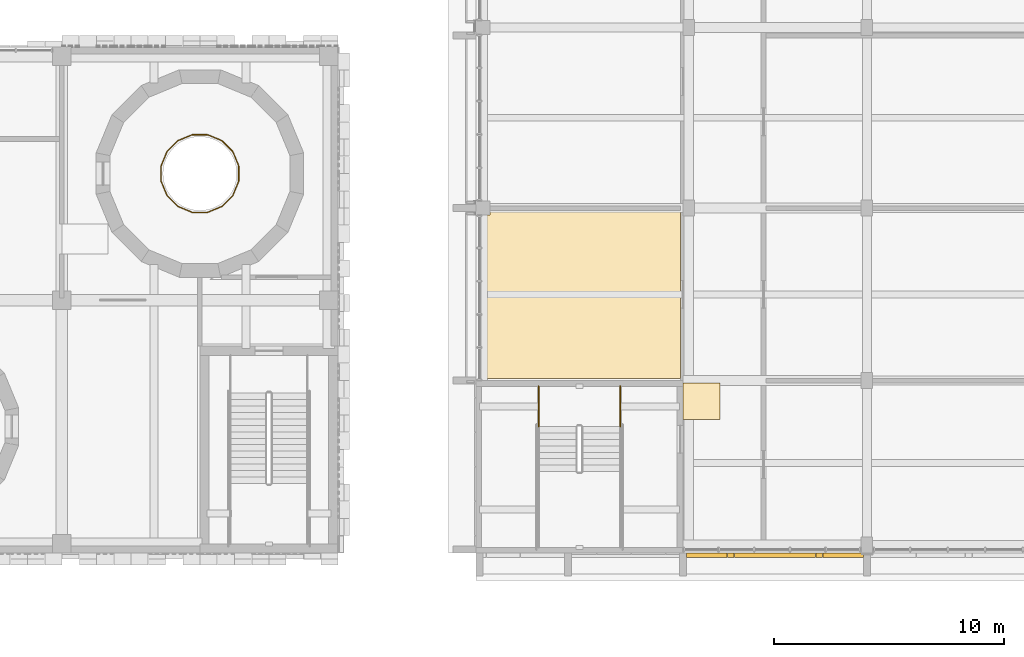
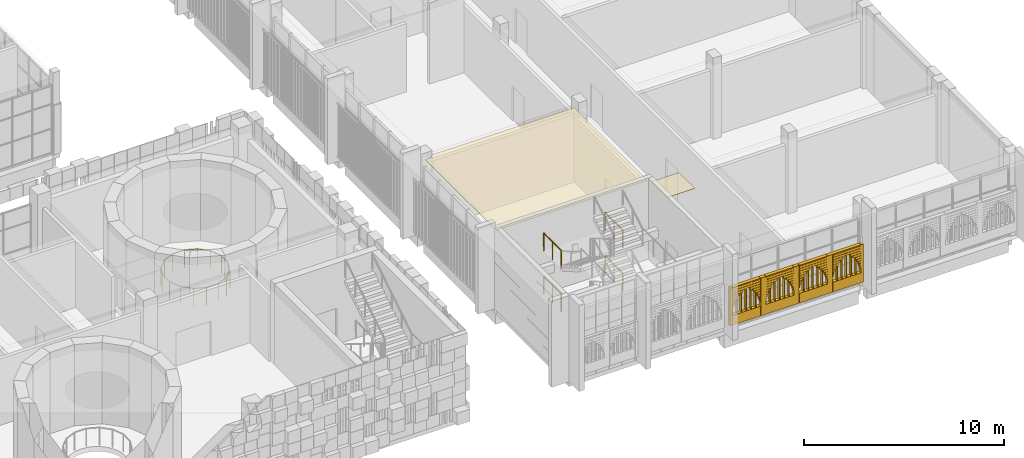
# One storey, part 110 of 125: 5 railings, 3 coverings.
"""IFC4 building model written with IfcOpenShell, lengths in metres."""

from ifc_helpers import new_model, si_unit, direction, frame, origin, origin_2d, place, context, subcontext, project, spatial, polyline, rectangle, circle, outline, extrude, material, layer, layer_set, type_object, element, save


model = new_model("IFC4")

# Units and contexts
model_context = context("Model", 3, precision=1e-05, world=origin(), true_north=direction((0.0, 1.0)))
body_context = subcontext(model_context, "Body", "Model", "MODEL_VIEW")
ifc_project = project(units=[si_unit("LENGTHUNIT", "METRE"), si_unit("AREAUNIT", "SQUARE_METRE"), si_unit("VOLUMEUNIT", "CUBIC_METRE"), si_unit("PLANEANGLEUNIT", "RADIAN"), si_unit("MASSUNIT", "GRAM", prefix="KILO")], contexts=[model_context])

# Site, building, storey
site_placement = place(None, origin())
site = spatial("IfcSite", under=ifc_project, at=site_placement, CompositionType="ELEMENT")
building_placement = place(site_placement, origin())
building = spatial("IfcBuilding", under=site, at=building_placement, Name="Sun Court Science Centre", CompositionType="ELEMENT")
storey_placement = place(building_placement, frame((0.0, 0.0, 6.0)))
storey = spatial("IfcBuildingStorey", under=building, at=storey_placement, Name="L01", CompositionType="ELEMENT", Elevation=6.0)

# Coverings
ifc_material_1 = material(Name="Red sandstone", Category="masonry")
ifc_layer_1 = layer(ifc_material_1, 0.199951171875)
ifc_layer_set_1 = layer_set([ifc_layer_1], Name="Red sandstone")
covering_type_1 = type_object("IfcCoveringType", Name="Arched jali screen 200", PredefinedType="CLADDING", material=ifc_layer_set_1)
covering_1_placement = place(storey_placement, frame((0.0, 0.0, -6.0)))
element("IfcCovering", 1, at=covering_1_placement, inside=storey, type_object=covering_type_1, Name="Arched jali screen south L01 03", PredefinedType="CLADDING", context=body_context, shape_type="SweptSolid", body=[
    extrude(rectangle(XDim=0.139892578125, YDim=0.199951171875, at=origin_2d()), frame((87.22509765625, 5.89990234375, 6.304931640625), z_axis=(0.0, 0.0, 1.0), x_axis=(1.0, 0.0, 0.0)), (0.0, 0.0, 1.0), 2.29736328125),
    extrude(rectangle(XDim=0.2900390625, YDim=0.199951171875, at=origin_2d()), frame((89.074951171875, 5.89990234375, 6.304931640625), z_axis=(0.0, 0.0, 1.0), x_axis=(1.0, 0.0, 0.0)), (0.0, 0.0, 1.0), 2.29736328125),
    extrude(rectangle(XDim=0.2900390625, YDim=0.199951171875, at=origin_2d()), frame((91.0, 5.89990234375, 6.304931640625), z_axis=(0.0, 0.0, 1.0), x_axis=(1.0, 0.0, 0.0)), (0.0, 0.0, 1.0), 2.29736328125),
    extrude(rectangle(XDim=0.2900390625, YDim=0.199951171875, at=origin_2d()), frame((92.925048828125, 5.89990234375, 6.304931640625), z_axis=(0.0, 0.0, 1.0), x_axis=(1.0, 0.0, 0.0)), (0.0, 0.0, 1.0), 2.29736328125),
    extrude(rectangle(XDim=0.139892578125, YDim=0.199951171875, at=origin_2d()), frame((94.77490234375, 5.89990234375, 6.304931640625), z_axis=(0.0, 0.0, 1.0), x_axis=(1.0, 0.0, 0.0)), (0.0, 0.0, 1.0), 2.29736328125),
    extrude(rectangle(XDim=1.614990234375, YDim=0.199951171875, at=origin_2d()), frame((88.112548828125, 5.89990234375, 6.30517578125), z_axis=(0.0, 0.0, 1.0), x_axis=(1.0, 0.0, 0.0)), (0.0, 0.0, 1.0), 0.590087890625),
    extrude(rectangle(XDim=0.033935546875, YDim=0.199951171875, at=origin_2d()), frame((87.322021484375, 5.89990234375, 7.205078125), z_axis=(0.0, 0.0, 1.0), x_axis=(1.0, 0.0, 0.0)), (0.0, 0.0, 1.0), 0.139892578125),
    extrude(rectangle(XDim=0.033935546875, YDim=0.199951171875, at=origin_2d()), frame((88.903076171875, 5.89990234375, 7.205078125), z_axis=(0.0, 0.0, 1.0), x_axis=(1.0, 0.0, 0.0)), (0.0, 0.0, 1.0), 0.139892578125),
    extrude(rectangle(XDim=0.0771484375, YDim=0.199951171875, at=origin_2d()), frame((87.343505859375, 5.89990234375, 7.35498046875), z_axis=(0.0, 0.0, 1.0), x_axis=(1.0, 0.0, 0.0)), (0.0, 0.0, 1.0), 0.139892578125),
    extrude(rectangle(XDim=0.0771484375, YDim=0.199951171875, at=origin_2d()), frame((88.88134765625, 5.89990234375, 7.35498046875), z_axis=(0.0, 0.0, 1.0), x_axis=(1.0, 0.0, 0.0)), (0.0, 0.0, 1.0), 0.139892578125),
    extrude(rectangle(XDim=0.13671875, YDim=0.199951171875, at=origin_2d()), frame((87.373291015625, 5.89990234375, 7.5048828125), z_axis=(0.0, 0.0, 1.0), x_axis=(1.0, 0.0, 0.0)), (0.0, 0.0, 1.0), 0.139892578125),
    extrude(rectangle(XDim=0.13671875, YDim=0.199951171875, at=origin_2d()), frame((88.8515625, 5.89990234375, 7.5048828125), z_axis=(0.0, 0.0, 1.0), x_axis=(1.0, 0.0, 0.0)), (0.0, 0.0, 1.0), 0.139892578125),
    extrude(rectangle(XDim=0.215087890625, YDim=0.199951171875, at=origin_2d()), frame((87.41259765625, 5.89990234375, 7.6552734375), z_axis=(0.0, 0.0, 1.0), x_axis=(1.0, 0.0, 0.0)), (0.0, 0.0, 1.0), 0.139892578125),
    extrude(rectangle(XDim=0.215087890625, YDim=0.199951171875, at=origin_2d()), frame((88.8125, 5.89990234375, 7.6552734375), z_axis=(0.0, 0.0, 1.0), x_axis=(1.0, 0.0, 0.0)), (0.0, 0.0, 1.0), 0.139892578125),
    extrude(rectangle(XDim=0.31494140625, YDim=0.199951171875, at=origin_2d()), frame((87.46240234375, 5.89990234375, 7.80517578125), z_axis=(0.0, 0.0, 1.0), x_axis=(1.0, 0.0, 0.0)), (0.0, 0.0, 1.0), 0.139892578125),
    extrude(rectangle(XDim=0.31494140625, YDim=0.199951171875, at=origin_2d()), frame((88.762451171875, 5.89990234375, 7.80517578125), z_axis=(0.0, 0.0, 1.0), x_axis=(1.0, 0.0, 0.0)), (0.0, 0.0, 1.0), 0.139892578125),
    extrude(rectangle(XDim=0.4423828125, YDim=0.199951171875, at=origin_2d()), frame((87.526123046875, 5.89990234375, 7.955078125), z_axis=(0.0, 0.0, 1.0), x_axis=(1.0, 0.0, 0.0)), (0.0, 0.0, 1.0), 0.139892578125),
    extrude(rectangle(XDim=0.4423828125, YDim=0.199951171875, at=origin_2d()), frame((88.69873046875, 5.89990234375, 7.955078125), z_axis=(0.0, 0.0, 1.0), x_axis=(1.0, 0.0, 0.0)), (0.0, 0.0, 1.0), 0.139892578125),
    extrude(rectangle(XDim=0.607421875, YDim=0.199951171875, at=origin_2d()), frame((87.608642578125, 5.89990234375, 8.10498046875), z_axis=(0.0, 0.0, 1.0), x_axis=(1.0, 0.0, 0.0)), (0.0, 0.0, 1.0), 0.139892578125),
    extrude(rectangle(XDim=0.607421875, YDim=0.199951171875, at=origin_2d()), frame((88.6162109375, 5.89990234375, 8.10498046875), z_axis=(0.0, 0.0, 1.0), x_axis=(1.0, 0.0, 0.0)), (0.0, 0.0, 1.0), 0.139892578125),
    extrude(rectangle(XDim=1.614990234375, YDim=0.199951171875, at=origin_2d()), frame((88.112548828125, 5.89990234375, 8.2548828125), z_axis=(0.0, 0.0, 1.0), x_axis=(1.0, 0.0, 0.0)), (0.0, 0.0, 1.0), 0.139892578125),
    extrude(rectangle(XDim=1.614990234375, YDim=0.199951171875, at=origin_2d()), frame((88.112548828125, 5.89990234375, 8.4052734375), z_axis=(0.0, 0.0, 1.0), x_axis=(1.0, 0.0, 0.0)), (0.0, 0.0, 1.0), 0.139892578125),
    extrude(rectangle(XDim=1.614990234375, YDim=0.199951171875, at=origin_2d()), frame((88.112548828125, 5.89990234375, 8.554931640625), z_axis=(0.0, 0.0, 1.0), x_axis=(1.0, 0.0, 0.0)), (0.0, 0.0, 1.0), 0.04736328125),
    extrude(rectangle(XDim=0.0400390625, YDim=0.199951171875, at=origin_2d()), frame((87.57080078125, 5.89990234375, 6.905029296875), z_axis=(0.0, 0.0, 1.0), x_axis=(1.0, 0.0, 0.0)), (0.0, 0.0, 1.0), 0.88818359375),
    extrude(rectangle(XDim=0.0400390625, YDim=0.199951171875, at=origin_2d()), frame((87.841552734375, 5.89990234375, 6.905029296875), z_axis=(0.0, 0.0, 1.0), x_axis=(1.0, 0.0, 0.0)), (0.0, 0.0, 1.0), 1.201171875),
    extrude(rectangle(XDim=0.0400390625, YDim=0.199951171875, at=origin_2d()), frame((88.112548828125, 5.89990234375, 6.9052734375), z_axis=(0.0, 0.0, 1.0), x_axis=(1.0, 0.0, 0.0)), (0.0, 0.0, 1.0), 1.397216796875),
    extrude(rectangle(XDim=0.0400390625, YDim=0.199951171875, at=origin_2d()), frame((88.38330078125, 5.89990234375, 6.905029296875), z_axis=(0.0, 0.0, 1.0), x_axis=(1.0, 0.0, 0.0)), (0.0, 0.0, 1.0), 1.201171875),
    extrude(rectangle(XDim=0.0400390625, YDim=0.199951171875, at=origin_2d()), frame((88.654052734375, 5.89990234375, 6.905029296875), z_axis=(0.0, 0.0, 1.0), x_axis=(1.0, 0.0, 0.0)), (0.0, 0.0, 1.0), 0.88818359375),
    extrude(rectangle(XDim=1.614990234375, YDim=0.199951171875, at=origin_2d()), frame((90.03759765625, 5.89990234375, 6.30517578125), z_axis=(0.0, 0.0, 1.0), x_axis=(1.0, 0.0, 0.0)), (0.0, 0.0, 1.0), 0.590087890625),
    extrude(rectangle(XDim=0.033935546875, YDim=0.199951171875, at=origin_2d()), frame((89.246826171875, 5.89990234375, 7.205078125), z_axis=(0.0, 0.0, 1.0), x_axis=(1.0, 0.0, 0.0)), (0.0, 0.0, 1.0), 0.139892578125),
    extrude(rectangle(XDim=0.033935546875, YDim=0.199951171875, at=origin_2d()), frame((90.828125, 5.89990234375, 7.205078125), z_axis=(0.0, 0.0, 1.0), x_axis=(1.0, 0.0, 0.0)), (0.0, 0.0, 1.0), 0.139892578125),
    extrude(rectangle(XDim=0.0771484375, YDim=0.199951171875, at=origin_2d()), frame((89.2685546875, 5.89990234375, 7.35498046875), z_axis=(0.0, 0.0, 1.0), x_axis=(1.0, 0.0, 0.0)), (0.0, 0.0, 1.0), 0.139892578125),
    extrude(rectangle(XDim=0.0771484375, YDim=0.199951171875, at=origin_2d()), frame((90.806396484375, 5.89990234375, 7.35498046875), z_axis=(0.0, 0.0, 1.0), x_axis=(1.0, 0.0, 0.0)), (0.0, 0.0, 1.0), 0.139892578125),
    extrude(rectangle(XDim=0.13671875, YDim=0.199951171875, at=origin_2d()), frame((89.29833984375, 5.89990234375, 7.5048828125), z_axis=(0.0, 0.0, 1.0), x_axis=(1.0, 0.0, 0.0)), (0.0, 0.0, 1.0), 0.139892578125),
    extrude(rectangle(XDim=0.13671875, YDim=0.199951171875, at=origin_2d()), frame((90.776611328125, 5.89990234375, 7.5048828125), z_axis=(0.0, 0.0, 1.0), x_axis=(1.0, 0.0, 0.0)), (0.0, 0.0, 1.0), 0.139892578125),
    extrude(rectangle(XDim=0.215087890625, YDim=0.199951171875, at=origin_2d()), frame((89.33740234375, 5.89990234375, 7.6552734375), z_axis=(0.0, 0.0, 1.0), x_axis=(1.0, 0.0, 0.0)), (0.0, 0.0, 1.0), 0.139892578125),
    extrude(rectangle(XDim=0.215087890625, YDim=0.199951171875, at=origin_2d()), frame((90.737548828125, 5.89990234375, 7.6552734375), z_axis=(0.0, 0.0, 1.0), x_axis=(1.0, 0.0, 0.0)), (0.0, 0.0, 1.0), 0.139892578125),
    extrude(rectangle(XDim=0.31494140625, YDim=0.199951171875, at=origin_2d()), frame((89.387451171875, 5.89990234375, 7.80517578125), z_axis=(0.0, 0.0, 1.0), x_axis=(1.0, 0.0, 0.0)), (0.0, 0.0, 1.0), 0.139892578125),
    extrude(rectangle(XDim=0.31494140625, YDim=0.199951171875, at=origin_2d()), frame((90.6875, 5.89990234375, 7.80517578125), z_axis=(0.0, 0.0, 1.0), x_axis=(1.0, 0.0, 0.0)), (0.0, 0.0, 1.0), 0.139892578125),
    extrude(rectangle(XDim=0.4423828125, YDim=0.199951171875, at=origin_2d()), frame((89.451171875, 5.89990234375, 7.955078125), z_axis=(0.0, 0.0, 1.0), x_axis=(1.0, 0.0, 0.0)), (0.0, 0.0, 1.0), 0.139892578125),
    extrude(rectangle(XDim=0.4423828125, YDim=0.199951171875, at=origin_2d()), frame((90.623779296875, 5.89990234375, 7.955078125), z_axis=(0.0, 0.0, 1.0), x_axis=(1.0, 0.0, 0.0)), (0.0, 0.0, 1.0), 0.139892578125),
    extrude(rectangle(XDim=0.607421875, YDim=0.199951171875, at=origin_2d()), frame((89.53369140625, 5.89990234375, 8.10498046875), z_axis=(0.0, 0.0, 1.0), x_axis=(1.0, 0.0, 0.0)), (0.0, 0.0, 1.0), 0.139892578125),
    extrude(rectangle(XDim=0.607421875, YDim=0.199951171875, at=origin_2d()), frame((90.541259765625, 5.89990234375, 8.10498046875), z_axis=(0.0, 0.0, 1.0), x_axis=(1.0, 0.0, 0.0)), (0.0, 0.0, 1.0), 0.139892578125),
    extrude(rectangle(XDim=1.614990234375, YDim=0.199951171875, at=origin_2d()), frame((90.03759765625, 5.89990234375, 8.2548828125), z_axis=(0.0, 0.0, 1.0), x_axis=(1.0, 0.0, 0.0)), (0.0, 0.0, 1.0), 0.139892578125),
    extrude(rectangle(XDim=1.614990234375, YDim=0.199951171875, at=origin_2d()), frame((90.03759765625, 5.89990234375, 8.4052734375), z_axis=(0.0, 0.0, 1.0), x_axis=(1.0, 0.0, 0.0)), (0.0, 0.0, 1.0), 0.139892578125),
    extrude(rectangle(XDim=1.614990234375, YDim=0.199951171875, at=origin_2d()), frame((90.03759765625, 5.89990234375, 8.554931640625), z_axis=(0.0, 0.0, 1.0), x_axis=(1.0, 0.0, 0.0)), (0.0, 0.0, 1.0), 0.04736328125),
    extrude(rectangle(XDim=0.0400390625, YDim=0.199951171875, at=origin_2d()), frame((89.495849609375, 5.89990234375, 6.905029296875), z_axis=(0.0, 0.0, 1.0), x_axis=(1.0, 0.0, 0.0)), (0.0, 0.0, 1.0), 0.88818359375),
    extrude(rectangle(XDim=0.0400390625, YDim=0.199951171875, at=origin_2d()), frame((89.7666015625, 5.89990234375, 6.905029296875), z_axis=(0.0, 0.0, 1.0), x_axis=(1.0, 0.0, 0.0)), (0.0, 0.0, 1.0), 1.201171875),
    extrude(rectangle(XDim=0.0400390625, YDim=0.199951171875, at=origin_2d()), frame((90.03759765625, 5.89990234375, 6.9052734375), z_axis=(0.0, 0.0, 1.0), x_axis=(1.0, 0.0, 0.0)), (0.0, 0.0, 1.0), 1.397216796875),
    extrude(rectangle(XDim=0.0400390625, YDim=0.199951171875, at=origin_2d()), frame((90.308349609375, 5.89990234375, 6.905029296875), z_axis=(0.0, 0.0, 1.0), x_axis=(1.0, 0.0, 0.0)), (0.0, 0.0, 1.0), 1.201171875),
    extrude(rectangle(XDim=0.0400390625, YDim=0.199951171875, at=origin_2d()), frame((90.5791015625, 5.89990234375, 6.905029296875), z_axis=(0.0, 0.0, 1.0), x_axis=(1.0, 0.0, 0.0)), (0.0, 0.0, 1.0), 0.88818359375),
    extrude(rectangle(XDim=1.614990234375, YDim=0.199951171875, at=origin_2d()), frame((91.96240234375, 5.89990234375, 6.30517578125), z_axis=(0.0, 0.0, 1.0), x_axis=(1.0, 0.0, 0.0)), (0.0, 0.0, 1.0), 0.590087890625),
    extrude(rectangle(XDim=0.033935546875, YDim=0.199951171875, at=origin_2d()), frame((91.171875, 5.89990234375, 7.205078125), z_axis=(0.0, 0.0, 1.0), x_axis=(1.0, 0.0, 0.0)), (0.0, 0.0, 1.0), 0.139892578125),
    extrude(rectangle(XDim=0.033935546875, YDim=0.199951171875, at=origin_2d()), frame((92.753173828125, 5.89990234375, 7.205078125), z_axis=(0.0, 0.0, 1.0), x_axis=(1.0, 0.0, 0.0)), (0.0, 0.0, 1.0), 0.139892578125),
    extrude(rectangle(XDim=0.0771484375, YDim=0.199951171875, at=origin_2d()), frame((91.193603515625, 5.89990234375, 7.35498046875), z_axis=(0.0, 0.0, 1.0), x_axis=(1.0, 0.0, 0.0)), (0.0, 0.0, 1.0), 0.139892578125),
    extrude(rectangle(XDim=0.0771484375, YDim=0.199951171875, at=origin_2d()), frame((92.7314453125, 5.89990234375, 7.35498046875), z_axis=(0.0, 0.0, 1.0), x_axis=(1.0, 0.0, 0.0)), (0.0, 0.0, 1.0), 0.139892578125),
    extrude(rectangle(XDim=0.13671875, YDim=0.199951171875, at=origin_2d()), frame((91.223388671875, 5.89990234375, 7.5048828125), z_axis=(0.0, 0.0, 1.0), x_axis=(1.0, 0.0, 0.0)), (0.0, 0.0, 1.0), 0.139892578125),
    extrude(rectangle(XDim=0.13671875, YDim=0.199951171875, at=origin_2d()), frame((92.70166015625, 5.89990234375, 7.5048828125), z_axis=(0.0, 0.0, 1.0), x_axis=(1.0, 0.0, 0.0)), (0.0, 0.0, 1.0), 0.139892578125),
    extrude(rectangle(XDim=0.215087890625, YDim=0.199951171875, at=origin_2d()), frame((91.262451171875, 5.89990234375, 7.6552734375), z_axis=(0.0, 0.0, 1.0), x_axis=(1.0, 0.0, 0.0)), (0.0, 0.0, 1.0), 0.139892578125),
    extrude(rectangle(XDim=0.215087890625, YDim=0.199951171875, at=origin_2d()), frame((92.66259765625, 5.89990234375, 7.6552734375), z_axis=(0.0, 0.0, 1.0), x_axis=(1.0, 0.0, 0.0)), (0.0, 0.0, 1.0), 0.139892578125),
    extrude(rectangle(XDim=0.31494140625, YDim=0.199951171875, at=origin_2d()), frame((91.3125, 5.89990234375, 7.80517578125), z_axis=(0.0, 0.0, 1.0), x_axis=(1.0, 0.0, 0.0)), (0.0, 0.0, 1.0), 0.139892578125),
    extrude(rectangle(XDim=0.31494140625, YDim=0.199951171875, at=origin_2d()), frame((92.612548828125, 5.89990234375, 7.80517578125), z_axis=(0.0, 0.0, 1.0), x_axis=(1.0, 0.0, 0.0)), (0.0, 0.0, 1.0), 0.139892578125),
    extrude(rectangle(XDim=0.4423828125, YDim=0.199951171875, at=origin_2d()), frame((91.376220703125, 5.89990234375, 7.955078125), z_axis=(0.0, 0.0, 1.0), x_axis=(1.0, 0.0, 0.0)), (0.0, 0.0, 1.0), 0.139892578125),
    extrude(rectangle(XDim=0.4423828125, YDim=0.199951171875, at=origin_2d()), frame((92.548828125, 5.89990234375, 7.955078125), z_axis=(0.0, 0.0, 1.0), x_axis=(1.0, 0.0, 0.0)), (0.0, 0.0, 1.0), 0.139892578125),
    extrude(rectangle(XDim=0.607421875, YDim=0.199951171875, at=origin_2d()), frame((91.458740234375, 5.89990234375, 8.10498046875), z_axis=(0.0, 0.0, 1.0), x_axis=(1.0, 0.0, 0.0)), (0.0, 0.0, 1.0), 0.139892578125),
    extrude(rectangle(XDim=0.607421875, YDim=0.199951171875, at=origin_2d()), frame((92.46630859375, 5.89990234375, 8.10498046875), z_axis=(0.0, 0.0, 1.0), x_axis=(1.0, 0.0, 0.0)), (0.0, 0.0, 1.0), 0.139892578125),
    extrude(rectangle(XDim=1.614990234375, YDim=0.199951171875, at=origin_2d()), frame((91.96240234375, 5.89990234375, 8.2548828125), z_axis=(0.0, 0.0, 1.0), x_axis=(1.0, 0.0, 0.0)), (0.0, 0.0, 1.0), 0.139892578125),
    extrude(rectangle(XDim=1.614990234375, YDim=0.199951171875, at=origin_2d()), frame((91.96240234375, 5.89990234375, 8.4052734375), z_axis=(0.0, 0.0, 1.0), x_axis=(1.0, 0.0, 0.0)), (0.0, 0.0, 1.0), 0.139892578125),
    extrude(rectangle(XDim=1.614990234375, YDim=0.199951171875, at=origin_2d()), frame((91.96240234375, 5.89990234375, 8.554931640625), z_axis=(0.0, 0.0, 1.0), x_axis=(1.0, 0.0, 0.0)), (0.0, 0.0, 1.0), 0.04736328125),
    extrude(rectangle(XDim=0.0400390625, YDim=0.199951171875, at=origin_2d()), frame((91.4208984375, 5.89990234375, 6.905029296875), z_axis=(0.0, 0.0, 1.0), x_axis=(1.0, 0.0, 0.0)), (0.0, 0.0, 1.0), 0.88818359375),
    extrude(rectangle(XDim=0.0400390625, YDim=0.199951171875, at=origin_2d()), frame((91.691650390625, 5.89990234375, 6.905029296875), z_axis=(0.0, 0.0, 1.0), x_axis=(1.0, 0.0, 0.0)), (0.0, 0.0, 1.0), 1.201171875),
    extrude(rectangle(XDim=0.0400390625, YDim=0.199951171875, at=origin_2d()), frame((91.96240234375, 5.89990234375, 6.9052734375), z_axis=(0.0, 0.0, 1.0), x_axis=(1.0, 0.0, 0.0)), (0.0, 0.0, 1.0), 1.397216796875),
    extrude(rectangle(XDim=0.0400390625, YDim=0.199951171875, at=origin_2d()), frame((92.2333984375, 5.89990234375, 6.905029296875), z_axis=(0.0, 0.0, 1.0), x_axis=(1.0, 0.0, 0.0)), (0.0, 0.0, 1.0), 1.201171875),
    extrude(rectangle(XDim=0.0400390625, YDim=0.199951171875, at=origin_2d()), frame((92.504150390625, 5.89990234375, 6.905029296875), z_axis=(0.0, 0.0, 1.0), x_axis=(1.0, 0.0, 0.0)), (0.0, 0.0, 1.0), 0.88818359375),
    extrude(rectangle(XDim=1.614990234375, YDim=0.199951171875, at=origin_2d()), frame((93.887451171875, 5.89990234375, 6.30517578125), z_axis=(0.0, 0.0, 1.0), x_axis=(1.0, 0.0, 0.0)), (0.0, 0.0, 1.0), 0.590087890625),
    extrude(rectangle(XDim=0.033935546875, YDim=0.199951171875, at=origin_2d()), frame((93.096923828125, 5.89990234375, 7.205078125), z_axis=(0.0, 0.0, 1.0), x_axis=(1.0, 0.0, 0.0)), (0.0, 0.0, 1.0), 0.139892578125),
    extrude(rectangle(XDim=0.033935546875, YDim=0.199951171875, at=origin_2d()), frame((94.677978515625, 5.89990234375, 7.205078125), z_axis=(0.0, 0.0, 1.0), x_axis=(1.0, 0.0, 0.0)), (0.0, 0.0, 1.0), 0.139892578125),
    extrude(rectangle(XDim=0.0771484375, YDim=0.199951171875, at=origin_2d()), frame((93.11865234375, 5.89990234375, 7.35498046875), z_axis=(0.0, 0.0, 1.0), x_axis=(1.0, 0.0, 0.0)), (0.0, 0.0, 1.0), 0.139892578125),
    extrude(rectangle(XDim=0.0771484375, YDim=0.199951171875, at=origin_2d()), frame((94.656494140625, 5.89990234375, 7.35498046875), z_axis=(0.0, 0.0, 1.0), x_axis=(1.0, 0.0, 0.0)), (0.0, 0.0, 1.0), 0.139892578125),
    extrude(rectangle(XDim=0.13671875, YDim=0.199951171875, at=origin_2d()), frame((93.1484375, 5.89990234375, 7.5048828125), z_axis=(0.0, 0.0, 1.0), x_axis=(1.0, 0.0, 0.0)), (0.0, 0.0, 1.0), 0.139892578125),
    extrude(rectangle(XDim=0.13671875, YDim=0.199951171875, at=origin_2d()), frame((94.626708984375, 5.89990234375, 7.5048828125), z_axis=(0.0, 0.0, 1.0), x_axis=(1.0, 0.0, 0.0)), (0.0, 0.0, 1.0), 0.139892578125),
    extrude(rectangle(XDim=0.215087890625, YDim=0.199951171875, at=origin_2d()), frame((93.1875, 5.89990234375, 7.6552734375), z_axis=(0.0, 0.0, 1.0), x_axis=(1.0, 0.0, 0.0)), (0.0, 0.0, 1.0), 0.139892578125),
    extrude(rectangle(XDim=0.215087890625, YDim=0.199951171875, at=origin_2d()), frame((94.58740234375, 5.89990234375, 7.6552734375), z_axis=(0.0, 0.0, 1.0), x_axis=(1.0, 0.0, 0.0)), (0.0, 0.0, 1.0), 0.139892578125),
    extrude(rectangle(XDim=0.31494140625, YDim=0.199951171875, at=origin_2d()), frame((93.237548828125, 5.89990234375, 7.80517578125), z_axis=(0.0, 0.0, 1.0), x_axis=(1.0, 0.0, 0.0)), (0.0, 0.0, 1.0), 0.139892578125),
    extrude(rectangle(XDim=0.31494140625, YDim=0.199951171875, at=origin_2d()), frame((94.53759765625, 5.89990234375, 7.80517578125), z_axis=(0.0, 0.0, 1.0), x_axis=(1.0, 0.0, 0.0)), (0.0, 0.0, 1.0), 0.139892578125),
    extrude(rectangle(XDim=0.4423828125, YDim=0.199951171875, at=origin_2d()), frame((93.30126953125, 5.89990234375, 7.955078125), z_axis=(0.0, 0.0, 1.0), x_axis=(1.0, 0.0, 0.0)), (0.0, 0.0, 1.0), 0.139892578125),
    extrude(rectangle(XDim=0.4423828125, YDim=0.199951171875, at=origin_2d()), frame((94.473876953125, 5.89990234375, 7.955078125), z_axis=(0.0, 0.0, 1.0), x_axis=(1.0, 0.0, 0.0)), (0.0, 0.0, 1.0), 0.139892578125),
    extrude(rectangle(XDim=0.607421875, YDim=0.199951171875, at=origin_2d()), frame((93.3837890625, 5.89990234375, 8.10498046875), z_axis=(0.0, 0.0, 1.0), x_axis=(1.0, 0.0, 0.0)), (0.0, 0.0, 1.0), 0.139892578125),
    extrude(rectangle(XDim=0.607421875, YDim=0.199951171875, at=origin_2d()), frame((94.391357421875, 5.89990234375, 8.10498046875), z_axis=(0.0, 0.0, 1.0), x_axis=(1.0, 0.0, 0.0)), (0.0, 0.0, 1.0), 0.139892578125),
    extrude(rectangle(XDim=1.614990234375, YDim=0.199951171875, at=origin_2d()), frame((93.887451171875, 5.89990234375, 8.2548828125), z_axis=(0.0, 0.0, 1.0), x_axis=(1.0, 0.0, 0.0)), (0.0, 0.0, 1.0), 0.139892578125),
    extrude(rectangle(XDim=1.614990234375, YDim=0.199951171875, at=origin_2d()), frame((93.887451171875, 5.89990234375, 8.4052734375), z_axis=(0.0, 0.0, 1.0), x_axis=(1.0, 0.0, 0.0)), (0.0, 0.0, 1.0), 0.139892578125),
    extrude(rectangle(XDim=1.614990234375, YDim=0.199951171875, at=origin_2d()), frame((93.887451171875, 5.89990234375, 8.554931640625), z_axis=(0.0, 0.0, 1.0), x_axis=(1.0, 0.0, 0.0)), (0.0, 0.0, 1.0), 0.04736328125),
    extrude(rectangle(XDim=0.0400390625, YDim=0.199951171875, at=origin_2d()), frame((93.345947265625, 5.89990234375, 6.905029296875), z_axis=(0.0, 0.0, 1.0), x_axis=(1.0, 0.0, 0.0)), (0.0, 0.0, 1.0), 0.88818359375),
    extrude(rectangle(XDim=0.0400390625, YDim=0.199951171875, at=origin_2d()), frame((93.61669921875, 5.89990234375, 6.905029296875), z_axis=(0.0, 0.0, 1.0), x_axis=(1.0, 0.0, 0.0)), (0.0, 0.0, 1.0), 1.201171875),
    extrude(rectangle(XDim=0.0400390625, YDim=0.199951171875, at=origin_2d()), frame((93.887451171875, 5.89990234375, 6.9052734375), z_axis=(0.0, 0.0, 1.0), x_axis=(1.0, 0.0, 0.0)), (0.0, 0.0, 1.0), 1.397216796875),
    extrude(rectangle(XDim=0.0400390625, YDim=0.199951171875, at=origin_2d()), frame((94.158447265625, 5.89990234375, 6.905029296875), z_axis=(0.0, 0.0, 1.0), x_axis=(1.0, 0.0, 0.0)), (0.0, 0.0, 1.0), 1.201171875),
    extrude(rectangle(XDim=0.0400390625, YDim=0.199951171875, at=origin_2d()), frame((94.42919921875, 5.89990234375, 6.905029296875), z_axis=(0.0, 0.0, 1.0), x_axis=(1.0, 0.0, 0.0)), (0.0, 0.0, 1.0), 0.88818359375),
])
ifc_material_2 = material(Name="Gypsum board")
ifc_layer_2 = layer(ifc_material_2, 0.030029296875)
ifc_layer_set_2 = layer_set([ifc_layer_2], Name="Gypsum board")
covering_type_2 = type_object("IfcCoveringType", Name="Ceiling suspended 600 module", PredefinedType="CEILING", material=ifc_layer_set_2)
covering_2_placement = place(storey_placement, frame((0.0, 0.0, 4.52001953125)))
element("IfcCovering", 2, at=covering_2_placement, inside=storey, type_object=covering_type_2, Name="L01-043 ceiling", PredefinedType="CEILING", context=body_context, shape_type="SweptSolid", body=[
    extrude(outline(polyline([(78.60009765625, 20.89990234375), (86.89990234375, 20.89990234375), (86.89990234375, 13.60009765625), (78.199951171875, 13.60009765625), (78.199951171875, 20.699951171875), (78.60009765625, 20.699951171875), (78.60009765625, 20.89990234375)])), origin(), (0.0, 0.0, 1.0), 0.030029296875),
])
covering_3_placement = place(storey_placement, frame((0.0, 0.0, 4.52001953125)))
element("IfcCovering", 3, at=covering_3_placement, inside=storey, type_object=covering_type_2, Name="L01-062 ceiling", PredefinedType="CEILING", context=body_context, shape_type="SweptSolid", body=[
    extrude(outline(polyline([(88.60009765625, 13.39990234375), (88.60009765625, 11.800048828125), (87.0, 11.800048828125), (87.0, 13.39990234375), (88.60009765625, 13.39990234375)])), origin(), (0.0, 0.0, 1.0), 0.030029296875),
])

# Railings
ifc_material_3 = material(Name="Steel S275", Category="steel")
railing_type_1 = type_object("IfcRailingType", Name="Guard 1100 steel balustrade", PredefinedType="GUARDRAIL", material=ifc_material_3)
for number, where, name in (
    (4, (80.72705078125, 13.25, 2.625), "L01 SL1 stair guard 7"),
    (5, (84.27294921875, 13.25, 2.625), "L01 SL1 stair guard 8"),
    (6, (80.72705078125, 13.25, 0.0), "L01 SL1 stair guard 15"),
    (7, (84.27294921875, 13.25, 0.0), "L01 SL1 stair guard 16"),
):
    element("IfcRailing", number, at=place(storey_placement, frame(where)), inside=storey, type_object=railing_type_1, Name=name, PredefinedType="GUARDRAIL", context=body_context, shape_type="SweptSolid", body=[
        extrude(circle(Radius=0.02392578125, at=origin_2d()), frame((0.0, 0.0, 1.076171875), z_axis=(0.0, -1.0, 0.0), x_axis=(1.0, 0.0, 0.0)), (0.0, 0.0, 1.0), 1.748046875),
        extrude(circle(Radius=0.02099609375, at=origin_2d()), origin(), (0.0, 0.0, 1.0), 1.052001953125),
        extrude(circle(Radius=0.02099609375, at=origin_2d()), frame((0.0, -0.8740234375, 0.0)), (0.0, 0.0, 1.0), 1.052001953125),
        extrude(circle(Radius=0.02099609375, at=origin_2d()), frame((0.0, -1.748046875, 0.0)), (0.0, 0.0, 1.0), 1.052001953125),
    ])
ifc_material_4 = material(Name="Steel S275", Category="steel")
railing_type_2 = type_object("IfcRailingType", Name="Guard 1100 well balustrade", PredefinedType="GUARDRAIL", material=ifc_material_4)
railing_placement = place(storey_placement, frame((67.68701171875, 22.83544921875, 0.0)))
element("IfcRailing", 8, at=railing_placement, inside=storey, type_object=railing_type_2, Name="C6 well guard L01", PredefinedType="GUARDRAIL", context=body_context, shape_type="SweptSolid", body=[
    extrude(circle(Radius=0.02392578125, at=origin_2d()), frame((0.0, 0.0, 1.076171875), z_axis=(-0.382651625058, 0.923892706888, 0.0), x_axis=(-0.923892706888, -0.382651625058, 0.0)), (0.0, 0.0, 1.0), 0.671142578125),
    extrude(circle(Radius=0.02392578125, at=origin_2d()), frame((-0.2568359375, 0.6201171875, 1.076171875), z_axis=(-0.707106781187, 0.707106781187, 0.0), x_axis=(-0.707106781187, -0.707106781187, 0.0)), (0.0, 0.0, 1.0), 0.671142578125),
    extrude(circle(Radius=0.02392578125, at=origin_2d()), frame((-0.7314453125, 1.0947265625, 1.076171875), z_axis=(-0.923892706888, 0.382651625058, 0.0), x_axis=(-0.382651625058, -0.923892706888, 0.0)), (0.0, 0.0, 1.0), 0.671142578125),
    extrude(circle(Radius=0.02392578125, at=origin_2d()), frame((-1.3515625, 1.3515625, 1.076171875), z_axis=(-1.0, 0.0, 0.0), x_axis=(0.0, -1.0, 0.0)), (0.0, 0.0, 1.0), 0.6708984375),
    extrude(circle(Radius=0.02392578125, at=origin_2d()), frame((-2.0224609375, 1.3515625, 1.076171875), z_axis=(-0.923892706888, -0.382651625058, 0.0), x_axis=(0.382651625058, -0.923892706888, 0.0)), (0.0, 0.0, 1.0), 0.671142578125),
    extrude(circle(Radius=0.02392578125, at=origin_2d()), frame((-2.642578125, 1.0947265625, 1.076171875), z_axis=(-0.707106781187, -0.707106781187, 0.0), x_axis=(0.707106781187, -0.707106781187, 0.0)), (0.0, 0.0, 1.0), 0.671142578125),
    extrude(circle(Radius=0.02392578125, at=origin_2d()), frame((-3.1171875, 0.6201171875, 1.076171875), z_axis=(-0.382651625058, -0.923892706888, 0.0), x_axis=(0.923892706888, -0.382651625058, 0.0)), (0.0, 0.0, 1.0), 0.671142578125),
    extrude(circle(Radius=0.02392578125, at=origin_2d()), frame((-3.3740234375, 0.0, 1.076171875), z_axis=(0.0, -1.0, 0.0), x_axis=(1.0, 0.0, 0.0)), (0.0, 0.0, 1.0), 0.6708984375),
    extrude(circle(Radius=0.02392578125, at=origin_2d()), frame((-3.3740234375, -0.6708984375, 1.076171875), z_axis=(0.382651625058, -0.923892706888, 0.0), x_axis=(0.923892706888, 0.382651625058, 0.0)), (0.0, 0.0, 1.0), 0.671142578125),
    extrude(circle(Radius=0.02392578125, at=origin_2d()), frame((-3.1171875, -1.291015625, 1.076171875), z_axis=(0.707106781187, -0.707106781187, 0.0), x_axis=(0.707106781187, 0.707106781187, 0.0)), (0.0, 0.0, 1.0), 0.671142578125),
    extrude(circle(Radius=0.02392578125, at=origin_2d()), frame((-2.642578125, -1.765625, 1.076171875), z_axis=(0.923892706888, -0.382651625058, 0.0), x_axis=(0.382651625058, 0.923892706888, 0.0)), (0.0, 0.0, 1.0), 0.671142578125),
    extrude(circle(Radius=0.02392578125, at=origin_2d()), frame((-2.0224609375, -2.0224609375, 1.076171875), z_axis=(1.0, 0.0, 0.0), x_axis=(0.0, 1.0, 0.0)), (0.0, 0.0, 1.0), 0.6708984375),
    extrude(circle(Radius=0.02392578125, at=origin_2d()), frame((-1.3515625, -2.0224609375, 1.076171875), z_axis=(0.923892706888, 0.382651625058, 0.0), x_axis=(-0.382651625058, 0.923892706888, 0.0)), (0.0, 0.0, 1.0), 0.671142578125),
    extrude(circle(Radius=0.02392578125, at=origin_2d()), frame((-0.7314453125, -1.765625, 1.076171875), z_axis=(0.707106781187, 0.707106781187, 0.0), x_axis=(-0.707106781187, 0.707106781187, 0.0)), (0.0, 0.0, 1.0), 0.671142578125),
    extrude(circle(Radius=0.02392578125, at=origin_2d()), frame((-0.2568359375, -1.291015625, 1.076171875), z_axis=(0.382651625058, 0.923892706888, 0.0), x_axis=(-0.923892706888, 0.382651625058, 0.0)), (0.0, 0.0, 1.0), 0.671142578125),
    extrude(circle(Radius=0.02392578125, at=origin_2d()), frame((0.0, -0.6708984375, 1.076171875), z_axis=(0.0, 1.0, 0.0), x_axis=(-1.0, 0.0, 0.0)), (0.0, 0.0, 1.0), 0.6708984375),
    extrude(circle(Radius=0.02099609375, at=origin_2d()), origin(), (0.0, 0.0, 1.0), 1.052001953125),
    extrude(circle(Radius=0.02099609375, at=origin_2d()), frame((-0.2568359375, 0.6201171875, 0.0)), (0.0, 0.0, 1.0), 1.052001953125),
    extrude(circle(Radius=0.02099609375, at=origin_2d()), frame((-0.7314453125, 1.0947265625, 0.0)), (0.0, 0.0, 1.0), 1.052001953125),
    extrude(circle(Radius=0.02099609375, at=origin_2d()), frame((-1.3515625, 1.3515625, 0.0)), (0.0, 0.0, 1.0), 1.052001953125),
    extrude(circle(Radius=0.02099609375, at=origin_2d()), frame((-2.0224609375, 1.3515625, 0.0)), (0.0, 0.0, 1.0), 1.052001953125),
    extrude(circle(Radius=0.02099609375, at=origin_2d()), frame((-2.642578125, 1.0947265625, 0.0)), (0.0, 0.0, 1.0), 1.052001953125),
    extrude(circle(Radius=0.02099609375, at=origin_2d()), frame((-3.1171875, 0.6201171875, 0.0)), (0.0, 0.0, 1.0), 1.052001953125),
    extrude(circle(Radius=0.02099609375, at=origin_2d()), frame((-3.3740234375, 0.0, 0.0)), (0.0, 0.0, 1.0), 1.052001953125),
    extrude(circle(Radius=0.02099609375, at=origin_2d()), frame((-3.3740234375, -0.6708984375, 0.0)), (0.0, 0.0, 1.0), 1.052001953125),
    extrude(circle(Radius=0.02099609375, at=origin_2d()), frame((-3.1171875, -1.291015625, 0.0)), (0.0, 0.0, 1.0), 1.052001953125),
    extrude(circle(Radius=0.02099609375, at=origin_2d()), frame((-2.642578125, -1.765625, 0.0)), (0.0, 0.0, 1.0), 1.052001953125),
    extrude(circle(Radius=0.02099609375, at=origin_2d()), frame((-2.0224609375, -2.0224609375, 0.0)), (0.0, 0.0, 1.0), 1.052001953125),
    extrude(circle(Radius=0.02099609375, at=origin_2d()), frame((-1.3515625, -2.0224609375, 0.0)), (0.0, 0.0, 1.0), 1.052001953125),
    extrude(circle(Radius=0.02099609375, at=origin_2d()), frame((-0.7314453125, -1.765625, 0.0)), (0.0, 0.0, 1.0), 1.052001953125),
    extrude(circle(Radius=0.02099609375, at=origin_2d()), frame((-0.2568359375, -1.291015625, 0.0)), (0.0, 0.0, 1.0), 1.052001953125),
    extrude(circle(Radius=0.02099609375, at=origin_2d()), frame((0.0, -0.6708984375, 0.0)), (0.0, 0.0, 1.0), 1.052001953125),
])

save(model, "model.ifc")
